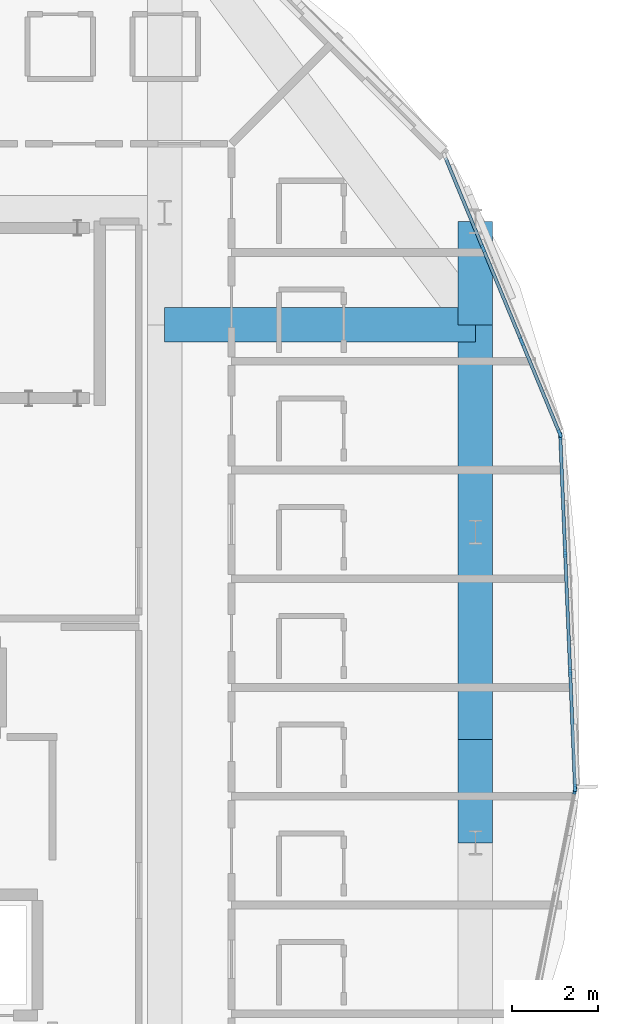
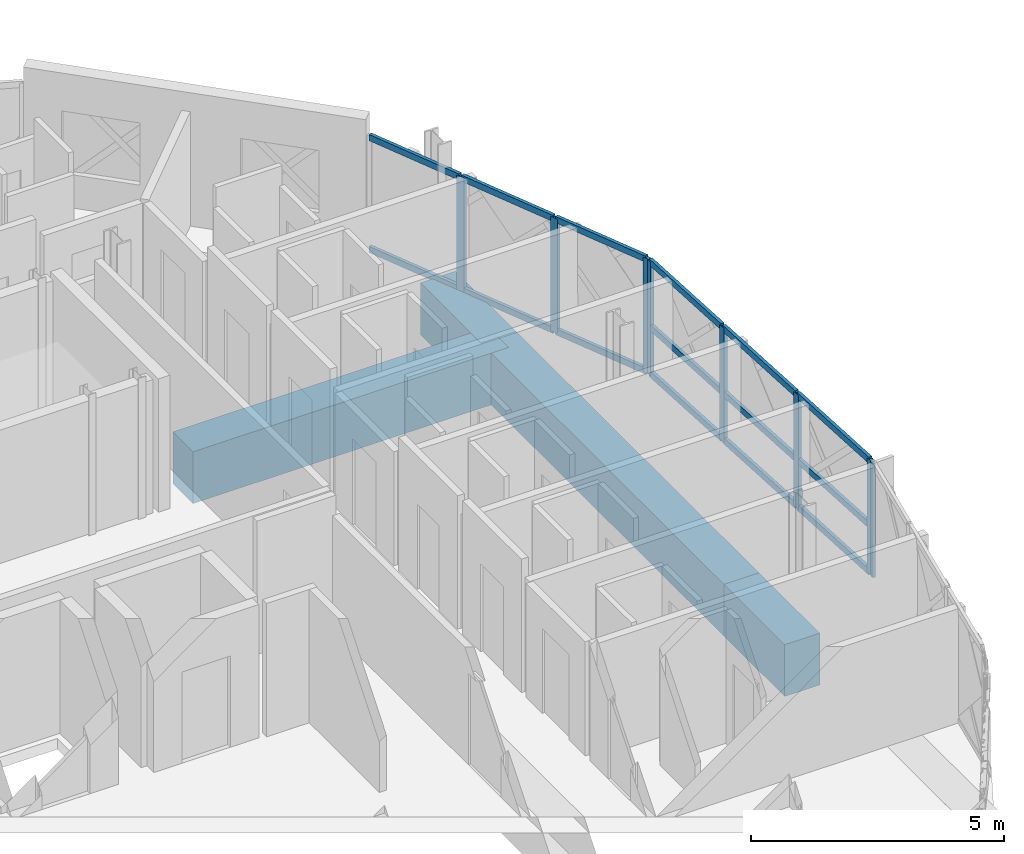
# One storey, part 13 of 53: 23 members, 4 beams, 3 elements without a shape of their own.
"""IFC4 building model written with IfcOpenShell, lengths in metres."""

from ifc_helpers import new_model, si_unit, direction, frame, origin, origin_2d, place, context, subcontext, project, spatial, rectangle, extrude, material, layer, layer_set, material_profile, profile_set, type_object, element, aggregate, save


model = new_model("IFC4")

# Units and contexts
model_context = context("Model", 3, precision=1e-05, world=origin(), true_north=direction((0.0, 1.0)))
body_context = subcontext(model_context, "Body", "Model", "MODEL_VIEW")
ifc_project = project(units=[si_unit("LENGTHUNIT", "METRE"), si_unit("AREAUNIT", "SQUARE_METRE"), si_unit("VOLUMEUNIT", "CUBIC_METRE"), si_unit("PLANEANGLEUNIT", "RADIAN"), si_unit("MASSUNIT", "GRAM", prefix="KILO")], contexts=[model_context])

# Site, building, storey
site_placement = place(None, origin())
site = spatial("IfcSite", under=ifc_project, at=site_placement, CompositionType="ELEMENT")
building_placement = place(site_placement, origin())
building = spatial("IfcBuilding", under=site, at=building_placement, Name="Zevrakil Square Congress Hotel", CompositionType="ELEMENT")
storey_placement = place(building_placement, frame((0.0, 0.0, 14.699951171875)))
storey = spatial("IfcBuildingStorey", under=building, at=storey_placement, Name="L04", CompositionType="ELEMENT", Elevation=14.699951171875)

# Beams
ifc_material_1 = material(Name="Concrete C40/50", Category="concrete")
ifc_material_profile_1 = material_profile(ifc_material_1, rectangle(XDim=0.800048828125, YDim=1.25, at=origin_2d()), Name="RC 800x1250")
ifc_profile_set_1 = profile_set([ifc_material_profile_1], Name="Concrete C40/50")
beam_type = type_object("IfcBeamType", Name="BM-RC800x1250", PredefinedType="BEAM", material=ifc_profile_set_1)
beam_1_placement = place(storey_placement, frame((163.199951171875, 24.0, -0.625), z_axis=(0.0, 1.0, 0.0), x_axis=(-1.0, 0.0, 0.0)))
element("IfcBeam", 1, at=beam_1_placement, inside=storey, type_object=beam_type, Name="L04 drum transfer girder TB-018", PredefinedType="BEAM", context=body_context, shape_type="SweptSolid", body=[
    extrude(rectangle(XDim=0.800048828125, YDim=1.25, at=origin_2d()), origin(), (0.0, 0.0, 1.0), 2.39990234375),
])
beam_2_placement = place(storey_placement, frame((163.199951171875, 26.39990234375, -0.625), z_axis=(0.0, 1.0, 0.0), x_axis=(-1.0, 0.0, 0.0)))
element("IfcBeam", 2, at=beam_2_placement, inside=storey, type_object=beam_type, Name="L04 drum transfer girder TB-019", PredefinedType="BEAM", context=body_context, shape_type="SweptSolid", body=[
    extrude(rectangle(XDim=0.800048828125, YDim=1.25, at=origin_2d()), origin(), (0.0, 0.0, 1.0), 9.60009765625),
])
beam_3_placement = place(storey_placement, frame((163.199951171875, 36.0, -0.625), z_axis=(0.0, 1.0, 0.0), x_axis=(-1.0, 0.0, 0.0)))
element("IfcBeam", 3, at=beam_3_placement, inside=storey, type_object=beam_type, Name="L04 drum transfer girder TB-020", PredefinedType="BEAM", context=body_context, shape_type="SweptSolid", body=[
    extrude(rectangle(XDim=0.800048828125, YDim=1.25, at=origin_2d()), origin(), (0.0, 0.0, 1.0), 2.39990234375),
])
beam_4_placement = place(storey_placement, frame((156.0, 36.0, -0.625), z_axis=(1.0, 0.0, 0.0), x_axis=(0.0, 1.0, 0.0)))
element("IfcBeam", 4, at=beam_4_placement, inside=storey, type_object=beam_type, Name="L04 drum transfer girder TB-032", PredefinedType="BEAM", context=body_context, shape_type="SweptSolid", body=[
    extrude(rectangle(XDim=0.800048828125, YDim=1.25, at=origin_2d()), origin(), (0.0, 0.0, 1.0), 7.199951171875),
])

# Curtain wall, members
ifc_material_2 = material(Name="Aluminium Anodised Bronze", Category="aluminium")
ifc_layer_1 = layer(ifc_material_2, 0.179931640625)
ifc_layer_set_1 = layer_set([ifc_layer_1], Name="Aluminium Anodised Bronze")
curtain_wall_type_1 = type_object("IfcCurtainWallType", Name="CW-L04-840", PredefinedType="USERDEFINED", material=ifc_layer_set_1)
curtain_wall_1_placement = place(storey_placement, origin())
curtain_wall_1 = element("IfcCurtainWall", 5, at=curtain_wall_1_placement, inside=storey, type_object=curtain_wall_type_1, Name="L04 diamond curtain wall CW-L04-0172", ObjectType="GLAZED CURTAIN WALL", PredefinedType="USERDEFINED")
ifc_material_3 = material(Name="Aluminium Anodised Bronze", Category="aluminium")
ifc_material_profile_2 = material_profile(ifc_material_3, rectangle(XDim=0.074951171875, YDim=0.14990234375, at=origin_2d()), Name="ALU 75x150")
ifc_profile_set_2 = profile_set([ifc_material_profile_2], Name="Aluminium Anodised Bronze")
member_type_1 = type_object("IfcMemberType", Name="CWM-ALU75x150", PredefinedType="USERDEFINED", material=ifc_profile_set_2)
member_1_placement = place(storey_placement, frame((165.507568359375, 25.304931640625, 0.030029296875), z_axis=(-0.04200990692, 0.999117194187, 0.0), x_axis=(-0.999117194187, -0.04200990692, 0.0)))
member_1 = element("IfcMember", 6, at=member_1_placement, type_object=member_type_1, Name="CW-47 transom 1.1", ObjectType="TRANSOM", PredefinedType="USERDEFINED", context=body_context, shape_type="SweptSolid", body=[
    extrude(rectangle(XDim=0.074951171875, YDim=0.14990234375, at=origin_2d()), origin(), (0.0, 0.0, 1.0), 2.650146484375),
])
member_2_placement = place(storey_placement, frame((165.507568359375, 25.304931640625, 1.155029296875), z_axis=(-0.04200990692, 0.999117194187, 0.0), x_axis=(-0.999117194187, -0.04200990692, 0.0)))
member_2 = element("IfcMember", 7, at=member_2_placement, type_object=member_type_1, Name="CW-47 transom 1.2", ObjectType="TRANSOM", PredefinedType="USERDEFINED", context=body_context, shape_type="SweptSolid", body=[
    extrude(rectangle(XDim=0.074951171875, YDim=0.14990234375, at=origin_2d()), origin(), (0.0, 0.0, 1.0), 2.650146484375),
])
member_3_placement = place(storey_placement, frame((165.507568359375, 25.304931640625, 2.719970703125), z_axis=(-0.04200990692, 0.999117194187, 0.0), x_axis=(-0.999117194187, -0.04200990692, 0.0)))
member_3 = element("IfcMember", 8, at=member_3_placement, type_object=member_type_1, Name="CW-47 transom 1.3", ObjectType="TRANSOM", PredefinedType="USERDEFINED", context=body_context, shape_type="SweptSolid", body=[
    extrude(rectangle(XDim=0.074951171875, YDim=0.14990234375, at=origin_2d()), origin(), (0.0, 0.0, 1.0), 2.650146484375),
])
member_4_placement = place(storey_placement, frame((165.393798828125, 28.0126953125, 0.030029296875), z_axis=(-0.041998108433, 0.999117690209, 0.0), x_axis=(-0.999117690209, -0.041998108433, 0.0)))
member_4 = element("IfcMember", 9, at=member_4_placement, type_object=member_type_1, Name="CW-47 transom 2.1", ObjectType="TRANSOM", PredefinedType="USERDEFINED", context=body_context, shape_type="SweptSolid", body=[
    extrude(rectangle(XDim=0.074951171875, YDim=0.14990234375, at=origin_2d()), origin(), (0.0, 0.0, 1.0), 2.679931640625),
])
member_5_placement = place(storey_placement, frame((165.393798828125, 28.0126953125, 1.155029296875), z_axis=(-0.041998108433, 0.999117690209, 0.0), x_axis=(-0.999117690209, -0.041998108433, 0.0)))
member_5 = element("IfcMember", 10, at=member_5_placement, type_object=member_type_1, Name="CW-47 transom 2.2", ObjectType="TRANSOM", PredefinedType="USERDEFINED", context=body_context, shape_type="SweptSolid", body=[
    extrude(rectangle(XDim=0.074951171875, YDim=0.14990234375, at=origin_2d()), origin(), (0.0, 0.0, 1.0), 2.679931640625),
])
member_6_placement = place(storey_placement, frame((165.393798828125, 28.0126953125, 2.719970703125), z_axis=(-0.041998108433, 0.999117690209, 0.0), x_axis=(-0.999117690209, -0.041998108433, 0.0)))
member_6 = element("IfcMember", 11, at=member_6_placement, type_object=member_type_1, Name="CW-47 transom 2.3", ObjectType="TRANSOM", PredefinedType="USERDEFINED", context=body_context, shape_type="SweptSolid", body=[
    extrude(rectangle(XDim=0.074951171875, YDim=0.14990234375, at=origin_2d()), origin(), (0.0, 0.0, 1.0), 2.679931640625),
])
member_7_placement = place(storey_placement, frame((165.27880859375, 30.750244140625, 0.030029296875), z_axis=(-0.04200990692, 0.999117194187, 0.0), x_axis=(-0.999117194187, -0.04200990692, 0.0)))
member_7 = element("IfcMember", 12, at=member_7_placement, type_object=member_type_1, Name="CW-47 transom 3.1", ObjectType="TRANSOM", PredefinedType="USERDEFINED", context=body_context, shape_type="SweptSolid", body=[
    extrude(rectangle(XDim=0.074951171875, YDim=0.14990234375, at=origin_2d()), origin(), (0.0, 0.0, 1.0), 2.650146484375),
])
member_8_placement = place(storey_placement, frame((165.27880859375, 30.750244140625, 1.155029296875), z_axis=(-0.04200990692, 0.999117194187, 0.0), x_axis=(-0.999117194187, -0.04200990692, 0.0)))
member_8 = element("IfcMember", 13, at=member_8_placement, type_object=member_type_1, Name="CW-47 transom 3.2", ObjectType="TRANSOM", PredefinedType="USERDEFINED", context=body_context, shape_type="SweptSolid", body=[
    extrude(rectangle(XDim=0.074951171875, YDim=0.14990234375, at=origin_2d()), origin(), (0.0, 0.0, 1.0), 2.650146484375),
])
member_9_placement = place(storey_placement, frame((165.27880859375, 30.750244140625, 2.719970703125), z_axis=(-0.04200990692, 0.999117194187, 0.0), x_axis=(-0.999117194187, -0.04200990692, 0.0)))
member_9 = element("IfcMember", 14, at=member_9_placement, type_object=member_type_1, Name="CW-47 transom 3.3", ObjectType="TRANSOM", PredefinedType="USERDEFINED", context=body_context, shape_type="SweptSolid", body=[
    extrude(rectangle(XDim=0.074951171875, YDim=0.14990234375, at=origin_2d()), origin(), (0.0, 0.0, 1.0), 2.650146484375),
])

ifc_material_4 = material(Name="Aluminium Anodised Bronze", Category="aluminium")
ifc_layer_2 = layer(ifc_material_4, 0.179931640625)
ifc_layer_set_2 = layer_set([ifc_layer_2], Name="Aluminium Anodised Bronze")
curtain_wall_type_2 = type_object("IfcCurtainWallType", Name="CW-L04-720", PredefinedType="USERDEFINED", material=ifc_layer_set_2)
curtain_wall_2_placement = place(storey_placement, origin())
curtain_wall_2 = element("IfcCurtainWall", 15, at=curtain_wall_2_placement, inside=storey, type_object=curtain_wall_type_2, Name="L04 diamond curtain wall CW-L04-0173", ObjectType="GLAZED CURTAIN WALL", PredefinedType="USERDEFINED")
member_10_placement = place(storey_placement, frame((165.14208984375, 33.51318359375, 0.030029296875), z_axis=(-0.382723093326, 0.923863103406, 0.0), x_axis=(-0.923863103406, -0.382723093326, 0.0)))
member_10 = element("IfcMember", 16, at=member_10_placement, type_object=member_type_1, Name="CW-46 transom 1.1", ObjectType="TRANSOM", PredefinedType="USERDEFINED", context=body_context, shape_type="SweptSolid", body=[
    extrude(rectangle(XDim=0.074951171875, YDim=0.14990234375, at=origin_2d()), origin(), (0.0, 0.0, 1.0), 2.245361328125),
])
member_11_placement = place(storey_placement, frame((165.14208984375, 33.51318359375, 2.72998046875), z_axis=(-0.382723093326, 0.923863103406, 0.0), x_axis=(-0.923863103406, -0.382723093326, 0.0)))
member_11 = element("IfcMember", 17, at=member_11_placement, type_object=member_type_1, Name="CW-46 transom 1.2", ObjectType="TRANSOM", PredefinedType="USERDEFINED", context=body_context, shape_type="SweptSolid", body=[
    extrude(rectangle(XDim=0.074951171875, YDim=0.14990234375, at=origin_2d()), origin(), (0.0, 0.0, 1.0), 2.245361328125),
])
member_12_placement = place(storey_placement, frame((164.259765625, 35.64306640625, 0.030029296875), z_axis=(-0.382648740238, 0.923893901698, 0.0), x_axis=(-0.923893901698, -0.382648740238, 0.0)))
member_12 = element("IfcMember", 18, at=member_12_placement, type_object=member_type_1, Name="CW-46 transom 2.1", ObjectType="TRANSOM", PredefinedType="USERDEFINED", context=body_context, shape_type="SweptSolid", body=[
    extrude(rectangle(XDim=0.074951171875, YDim=0.14990234375, at=origin_2d()), origin(), (0.0, 0.0, 1.0), 2.275146484375),
])
member_13_placement = place(storey_placement, frame((164.259765625, 35.64306640625, 2.72998046875), z_axis=(-0.382648740238, 0.923893901698, 0.0), x_axis=(-0.923893901698, -0.382648740238, 0.0)))
member_13 = element("IfcMember", 19, at=member_13_placement, type_object=member_type_1, Name="CW-46 transom 2.2", ObjectType="TRANSOM", PredefinedType="USERDEFINED", context=body_context, shape_type="SweptSolid", body=[
    extrude(rectangle(XDim=0.074951171875, YDim=0.14990234375, at=origin_2d()), origin(), (0.0, 0.0, 1.0), 2.275146484375),
])
member_14_placement = place(storey_placement, frame((163.3662109375, 37.800537109375, 0.030029296875), z_axis=(-0.382668727465, 0.923885623343, 0.0), x_axis=(-0.923885623343, -0.382668727465, 0.0)))
member_14 = element("IfcMember", 20, at=member_14_placement, type_object=member_type_1, Name="CW-46 transom 3.1", ObjectType="TRANSOM", PredefinedType="USERDEFINED", context=body_context, shape_type="SweptSolid", body=[
    extrude(rectangle(XDim=0.074951171875, YDim=0.14990234375, at=origin_2d()), origin(), (0.0, 0.0, 1.0), 2.2451171875),
])
member_15_placement = place(storey_placement, frame((163.3662109375, 37.800537109375, 2.72998046875), z_axis=(-0.382668727465, 0.923885623343, 0.0), x_axis=(-0.923885623343, -0.382668727465, 0.0)))
member_15 = element("IfcMember", 21, at=member_15_placement, type_object=member_type_1, Name="CW-46 transom 3.2", ObjectType="TRANSOM", PredefinedType="USERDEFINED", context=body_context, shape_type="SweptSolid", body=[
    extrude(rectangle(XDim=0.074951171875, YDim=0.14990234375, at=origin_2d()), origin(), (0.0, 0.0, 1.0), 2.2451171875),
])

# Curtain wall, member
curtain_wall_3_placement = place(storey_placement, origin())
curtain_wall_3 = element("IfcCurtainWall", 22, at=curtain_wall_3_placement, inside=storey, type_object=curtain_wall_type_2, Name="L04 diamond curtain wall CW-L04-0171", ObjectType="GLAZED CURTAIN WALL", PredefinedType="USERDEFINED")
ifc_material_5 = material(Name="Aluminium Anodised Bronze", Category="aluminium")
ifc_material_profile_3 = material_profile(ifc_material_5, rectangle(XDim=0.074951171875, YDim=0.179931640625, at=origin_2d()), Name="ALU 75x180")
ifc_profile_set_3 = profile_set([ifc_material_profile_3], Name="Aluminium Anodised Bronze")
member_type_2 = type_object("IfcMemberType", Name="CWM-ALU75x180", PredefinedType="MULLION", material=ifc_profile_set_3)
member_16_placement = place(storey_placement, frame((165.504150390625, 25.215576171875, 0.0), z_axis=(0.0, 0.0, 1.0), x_axis=(-0.980786557708, 0.195083900459, 0.0)))
member_16 = element("IfcMember", 23, at=member_16_placement, type_object=member_type_2, Name="CW-46 mullion 4", PredefinedType="MULLION", context=body_context, shape_type="SweptSolid", body=[
    extrude(rectangle(XDim=0.074951171875, YDim=0.179931640625, at=origin_2d()), origin(), (0.0, 0.0, 1.0), 2.75),
])
aggregate(curtain_wall_3, [member_16])

# Member
member_17_placement = place(storey_placement, frame((165.5087890625, 25.27490234375, 0.0), z_axis=(0.0, 0.0, 1.0), x_axis=(-0.999118846876, -0.041970582763, 0.0)))
member_17 = element("IfcMember", 24, at=member_17_placement, type_object=member_type_2, Name="CW-47 mullion 1", PredefinedType="MULLION", context=body_context, shape_type="SweptSolid", body=[
    extrude(rectangle(XDim=0.074951171875, YDim=0.179931640625, at=origin_2d()), origin(), (0.0, 0.0, 1.0), 2.75),
])

member_18_placement = place(storey_placement, frame((165.39501953125, 27.982666015625, 0.0), z_axis=(0.0, 0.0, 1.0), x_axis=(-0.999118846876, -0.041970582763, 0.0)))
member_18 = element("IfcMember", 25, at=member_18_placement, type_object=member_type_2, Name="CW-47 mullion 2", PredefinedType="MULLION", context=body_context, shape_type="SweptSolid", body=[
    extrude(rectangle(XDim=0.074951171875, YDim=0.179931640625, at=origin_2d()), origin(), (0.0, 0.0, 1.0), 2.75),
])

member_19_placement = place(storey_placement, frame((165.280029296875, 30.72021484375, 0.0), z_axis=(0.0, 0.0, 1.0), x_axis=(-0.999118846876, -0.041970582763, 0.0)))
member_19 = element("IfcMember", 26, at=member_19_placement, type_object=member_type_2, Name="CW-47 mullion 3", PredefinedType="MULLION", context=body_context, shape_type="SweptSolid", body=[
    extrude(rectangle(XDim=0.074951171875, YDim=0.179931640625, at=origin_2d()), origin(), (0.0, 0.0, 1.0), 2.75),
])

member_20_placement = place(storey_placement, frame((165.166259765625, 33.427734375, 0.0), z_axis=(0.0, 0.0, 1.0), x_axis=(-0.999118846876, -0.041970582763, 0.0)))
member_20 = element("IfcMember", 27, at=member_20_placement, type_object=member_type_2, Name="CW-47 mullion 4", PredefinedType="MULLION", context=body_context, shape_type="SweptSolid", body=[
    extrude(rectangle(XDim=0.074951171875, YDim=0.179931640625, at=origin_2d()), origin(), (0.0, 0.0, 1.0), 2.75),
])

aggregate(curtain_wall_1, [member_17, member_18, member_19, member_20, member_1, member_2, member_3, member_4, member_5, member_6, member_7, member_8, member_9])

member_21_placement = place(storey_placement, frame((165.153564453125, 33.485595703125, 0.0), z_axis=(0.0, 0.0, 1.0), x_axis=(-0.92387939537, -0.382683763454, 0.0)))
member_21 = element("IfcMember", 28, at=member_21_placement, type_object=member_type_2, Name="CW-46 mullion 1", PredefinedType="MULLION", context=body_context, shape_type="SweptSolid", body=[
    extrude(rectangle(XDim=0.074951171875, YDim=0.179931640625, at=origin_2d()), origin(), (0.0, 0.0, 1.0), 2.760009765625),
])

member_22_placement = place(storey_placement, frame((164.271240234375, 35.615234375, 0.0), z_axis=(0.0, 0.0, 1.0), x_axis=(-0.92387939537, -0.382683763454, 0.0)))
member_22 = element("IfcMember", 29, at=member_22_placement, type_object=member_type_2, Name="CW-46 mullion 2", PredefinedType="MULLION", context=body_context, shape_type="SweptSolid", body=[
    extrude(rectangle(XDim=0.074951171875, YDim=0.179931640625, at=origin_2d()), origin(), (0.0, 0.0, 1.0), 2.760009765625),
])

member_23_placement = place(storey_placement, frame((163.377685546875, 37.772705078125, 0.0), z_axis=(0.0, 0.0, 1.0), x_axis=(-0.92387939537, -0.382683763454, 0.0)))
member_23 = element("IfcMember", 30, at=member_23_placement, type_object=member_type_2, Name="CW-46 mullion 3", PredefinedType="MULLION", context=body_context, shape_type="SweptSolid", body=[
    extrude(rectangle(XDim=0.074951171875, YDim=0.179931640625, at=origin_2d()), origin(), (0.0, 0.0, 1.0), 2.760009765625),
])

aggregate(curtain_wall_2, [member_21, member_22, member_23, member_10, member_11, member_12, member_13, member_14, member_15])

save(model, "model.ifc")
